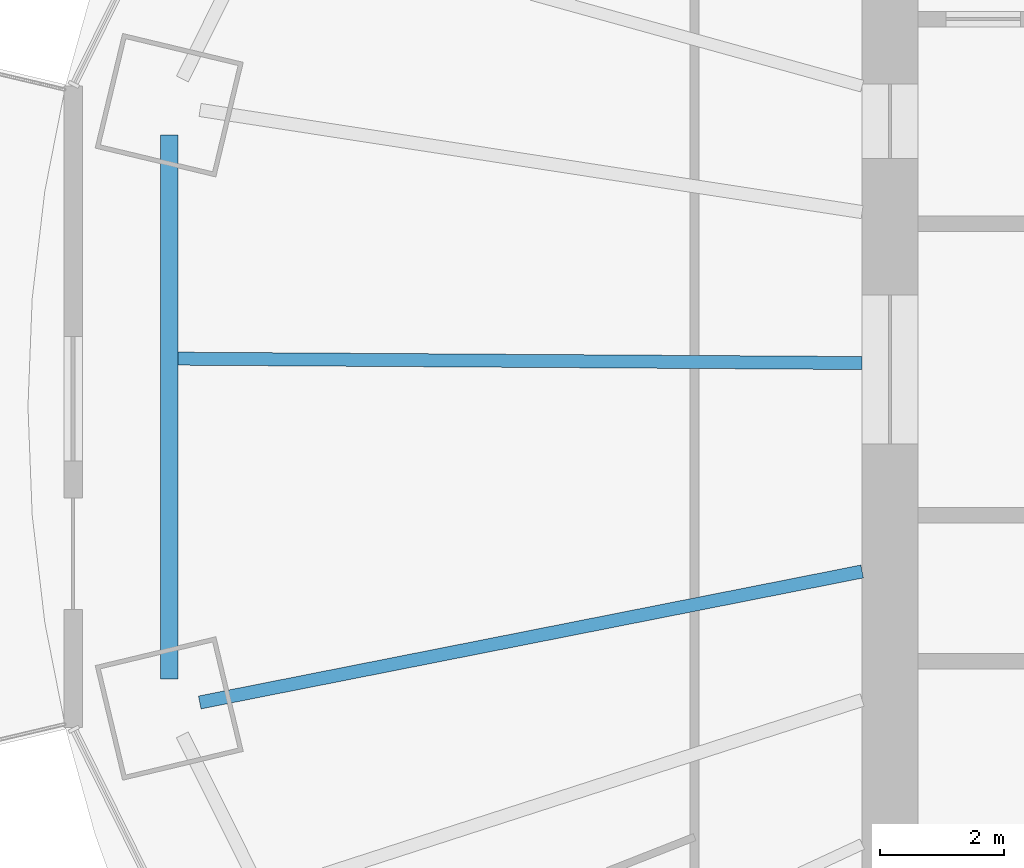
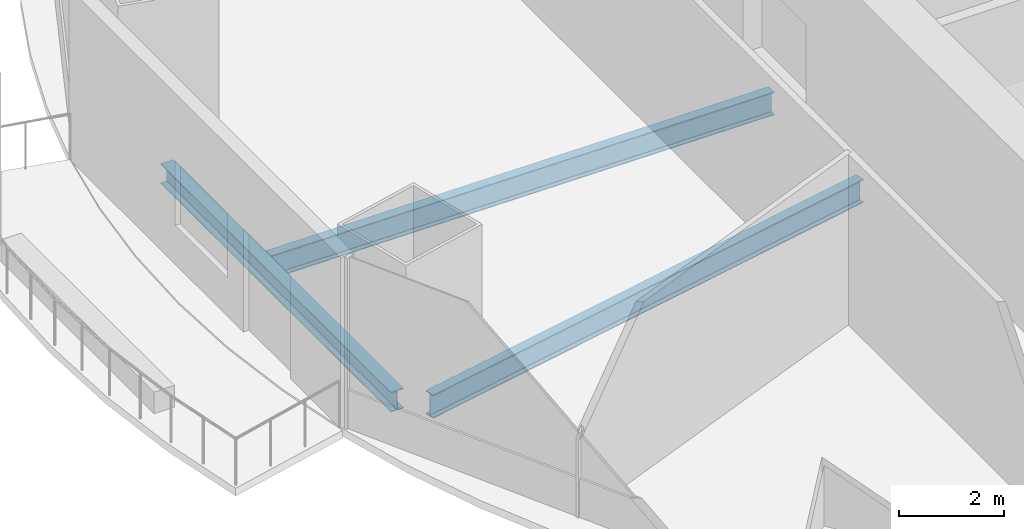
# One storey, part 3 of 21: 3 beams.
"""IFC4 building model written with IfcOpenShell, lengths in metres."""

from ifc_helpers import new_model, si_unit, direction, frame, origin, origin_2d, place, context, subcontext, project, spatial, i_section, extrude, material, material_profile, profile_set, type_object, element, save


model = new_model("IFC4")

# Units and contexts
model_context = context("Model", 3, precision=1e-05, world=origin(), true_north=direction((0.0, 1.0)))
body_context = subcontext(model_context, "Body", "Model", "MODEL_VIEW")
ifc_project = project(units=[si_unit("LENGTHUNIT", "METRE"), si_unit("AREAUNIT", "SQUARE_METRE"), si_unit("VOLUMEUNIT", "CUBIC_METRE"), si_unit("PLANEANGLEUNIT", "RADIAN"), si_unit("MASSUNIT", "GRAM", prefix="KILO")], contexts=[model_context])

# Site, building, storey
site_placement = place(None, origin())
site = spatial("IfcSite", under=ifc_project, at=site_placement, CompositionType="ELEMENT")
building_placement = place(site_placement, origin())
building = spatial("IfcBuilding", under=site, at=building_placement, Name="Marenthal Gate Tower", CompositionType="ELEMENT")
storey_placement = place(building_placement, frame((0.0, 0.0, 198.39990234375)))
storey = spatial("IfcBuildingStorey", under=building, at=storey_placement, Name="L43", CompositionType="ELEMENT", Elevation=198.39990234375)

# Beams
ifc_material_1 = material(Name="Steel S355", Category="steel")
ifc_material_profile_1 = material_profile(ifc_material_1, i_section(OverallWidth=0.279052734375, OverallDepth=0.4619140625, WebThickness=0.0107421875, FlangeThickness=0.017333984375, FilletRadius=0.010009765625, at=origin_2d()), Name="W460X113")
ifc_profile_set_1 = profile_set([ifc_material_profile_1], Name="Steel S355")
beam_type_1 = type_object("IfcBeamType", Name="W460X113 beam", PredefinedType="BEAM", material=ifc_profile_set_1)
beam_1_placement = place(storey_placement, frame((-27.61572265625, 3.78369140625, -0.410888671875), z_axis=(0.0, -1.0, 0.0), x_axis=(1.0, 0.0, 0.0)))
element("IfcBeam", 1, at=beam_1_placement, inside=storey, type_object=beam_type_1, Name="BM-L43-48", PredefinedType="BEAM", context=body_context, shape_type="SweptSolid", body=[
    extrude(i_section(OverallWidth=0.279052734375, OverallDepth=0.4619140625, WebThickness=0.0107421875, FlangeThickness=0.017333984375, FilletRadius=0.010009765625, at=origin_2d()), origin(), (0.0, 0.0, 1.0), 8.767578125),
])
ifc_material_2 = material(Name="Steel S355", Category="steel")
ifc_material_profile_2 = material_profile(ifc_material_2, i_section(OverallWidth=0.2099609375, OverallDepth=0.535888671875, WebThickness=0.010986328125, FlangeThickness=0.017333984375, FilletRadius=0.0126953125, at=origin_2d()), Name="W530X101")
ifc_profile_set_2 = profile_set([ifc_material_profile_2], Name="Steel S355")
beam_type_2 = type_object("IfcBeamType", Name="W530X101 beam", PredefinedType="BEAM", material=ifc_profile_set_2)
beam_2_placement = place(storey_placement, frame((-27.476318359375, 0.1767578125, -0.447998046875), z_axis=(0.999979385739, -0.006420910944, 0.0), x_axis=(0.006420910944, 0.999979385739, 0.0)))
element("IfcBeam", 2, at=beam_2_placement, inside=storey, type_object=beam_type_2, Name="BM-L43-28", PredefinedType="BEAM", context=body_context, shape_type="SweptSolid", body=[
    extrude(i_section(OverallWidth=0.2099609375, OverallDepth=0.535888671875, WebThickness=0.010986328125, FlangeThickness=0.017333984375, FilletRadius=0.0126953125, at=origin_2d()), origin(), (0.0, 0.0, 1.0), 11.026611328125),
])
ifc_material_3 = material(Name="Steel S355", Category="steel")
ifc_material_profile_3 = material_profile(ifc_material_3, i_section(OverallWidth=0.2119140625, OverallDepth=0.5439453125, WebThickness=0.01318359375, FlangeThickness=0.021240234375, FilletRadius=0.0126953125, at=origin_2d()), Name="W530X123")
ifc_profile_set_3 = profile_set([ifc_material_profile_3], Name="Steel S355")
beam_type_3 = type_object("IfcBeamType", Name="W530X123 beam", PredefinedType="BEAM", material=ifc_profile_set_3)
beam_3_placement = place(storey_placement, frame((-27.12451171875, -5.363525390625, -0.451904296875), z_axis=(0.981003804507, 0.193988493328, 0.0), x_axis=(-0.193988493328, 0.981003804507, 0.0)))
element("IfcBeam", 3, at=beam_3_placement, inside=storey, type_object=beam_type_3, Name="BM-L43-09", PredefinedType="BEAM", context=body_context, shape_type="SweptSolid", body=[
    extrude(i_section(OverallWidth=0.2119140625, OverallDepth=0.5439453125, WebThickness=0.01318359375, FlangeThickness=0.021240234375, FilletRadius=0.0126953125, at=origin_2d()), origin(), (0.0, 0.0, 1.0), 10.88134765625),
])

save(model, "model.ifc")
